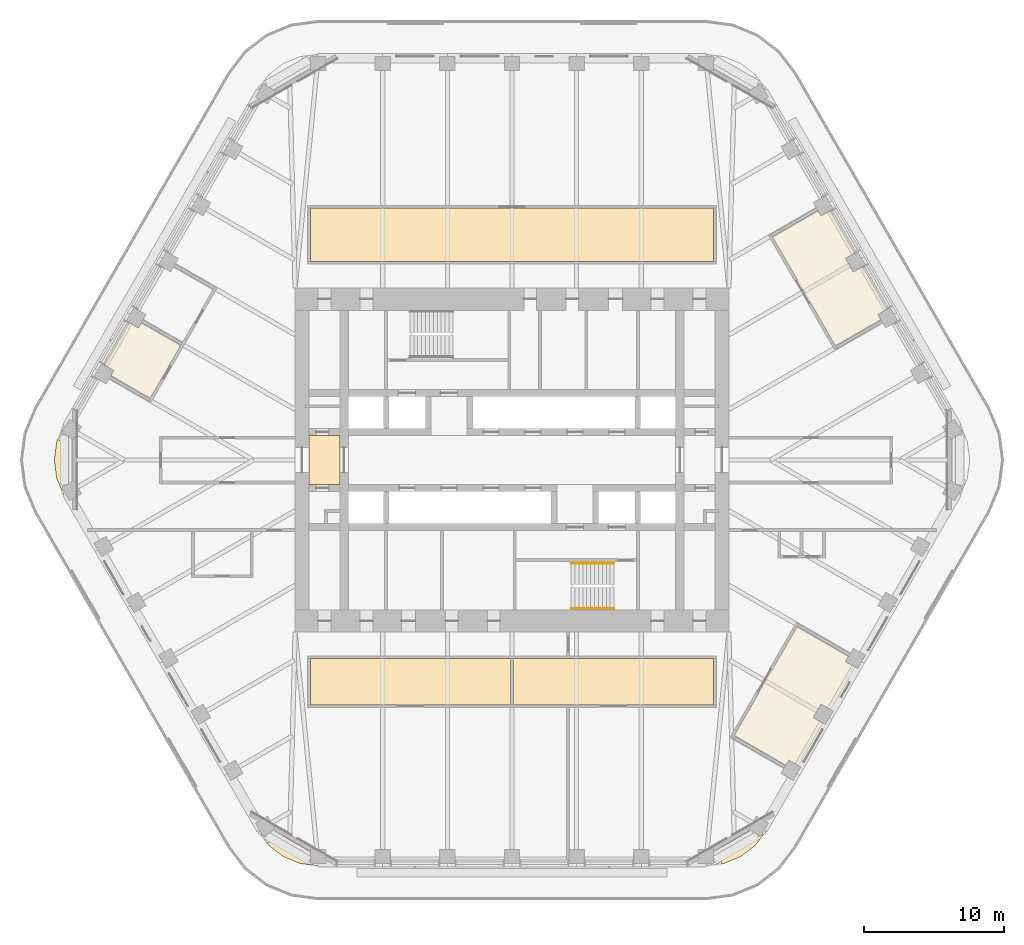
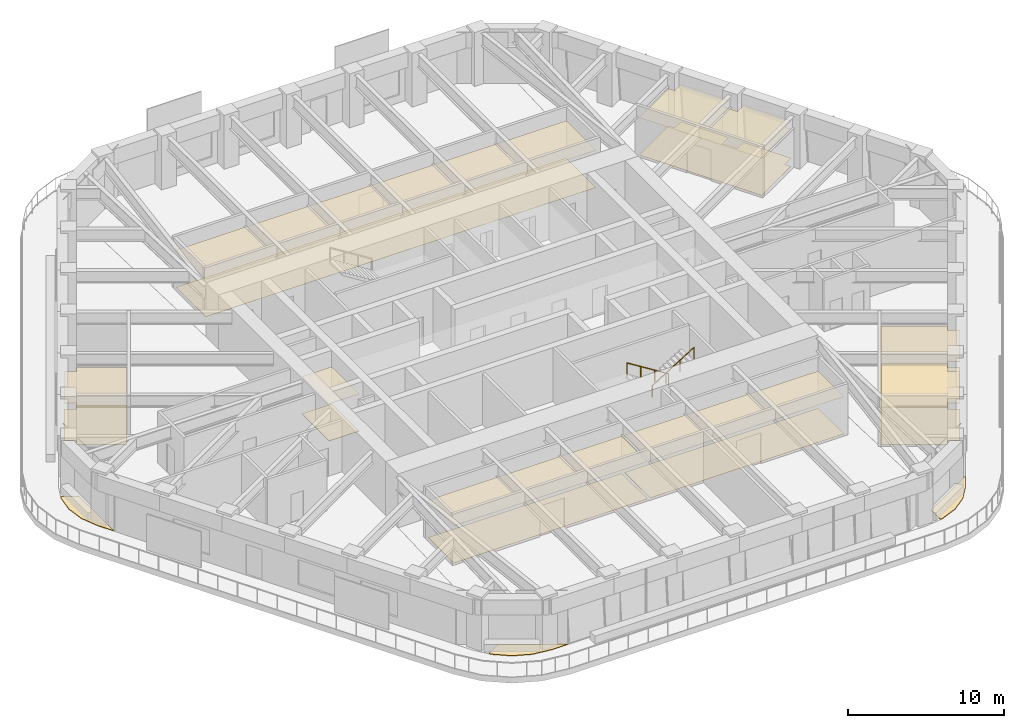
# One storey, part 18 of 20: 7 coverings, 2 railings.
"""IFC4 building model written with IfcOpenShell, lengths in metres."""

from ifc_helpers import new_model, si_unit, direction, frame, origin, origin_2d, place, context, subcontext, project, spatial, polyline, circle, outline, extrude, material, layer, layer_set, type_object, element, save


model = new_model("IFC4")

# Units and contexts
model_context = context("Model", 3, precision=1e-05, world=origin(), true_north=direction((0.0, 1.0)))
body_context = subcontext(model_context, "Body", "Model", "MODEL_VIEW")
ifc_project = project(units=[si_unit("LENGTHUNIT", "METRE"), si_unit("AREAUNIT", "SQUARE_METRE"), si_unit("VOLUMEUNIT", "CUBIC_METRE"), si_unit("PLANEANGLEUNIT", "RADIAN"), si_unit("MASSUNIT", "GRAM", prefix="KILO")], contexts=[model_context])

# Site, building, storey
site_placement = place(None, origin())
site = spatial("IfcSite", under=ifc_project, at=site_placement, CompositionType="ELEMENT")
building_placement = place(site_placement, origin())
building = spatial("IfcBuilding", under=site, at=building_placement, Name="Tarfa Lantern Tower", CompositionType="ELEMENT")
storey_placement = place(building_placement, frame((0.0, 0.0, 282.699951171875)))
storey = spatial("IfcBuildingStorey", under=building, at=storey_placement, Name="L64", CompositionType="ELEMENT", Elevation=282.699951171875)

# Coverings
ifc_material_1 = material(Name="Mineral fibre acoustic tile on suspension grid", Category="finish")
ifc_layer_1 = layer(ifc_material_1, 0.02001953125)
ifc_layer_set_1 = layer_set([ifc_layer_1], Name="CL1 ACOUSTIC TILE CEILING 20")
covering_type_1 = type_object("IfcCoveringType", Name="CL1 ACOUSTIC TILE CEILING 20", PredefinedType="CEILING", material=ifc_layer_set_1)
covering_1_placement = place(storey_placement, frame((0.0, 0.0, 2.900146484375)))
element("IfcCovering", 1, at=covering_1_placement, inside=storey, type_object=covering_type_1, Name="Ceiling L64 CL1", PredefinedType="CEILING", context=body_context, shape_type="SweptSolid", body=[
    extrude(outline(polyline([(-14.39990234375, 18.0), (14.39990234375, 18.0), (14.39990234375, 14.199951171875), (-14.39990234375, 14.199951171875), (-14.39990234375, 18.0)])), origin(), (0.0, 0.0, 1.0), 0.02001953125),
    extrude(outline(polyline([(18.61181640625, 15.96337890625), (21.859375, 17.83837890625), (22.08447265625, 17.44873046875), (22.77734375, 17.8486328125), (24.53662109375, 14.80126953125), (23.84375, 14.4013671875), (24.393798828125, 13.44873046875), (25.086669921875, 13.8486328125), (26.845947265625, 10.80126953125), (26.1533203125, 10.4013671875), (26.378173828125, 10.01171875), (23.130615234375, 8.13671875), (18.61181640625, 15.96337890625)])), origin(), (0.0, 0.0, 1.0), 0.02001953125),
    extrude(outline(polyline([(-25.873046875, 4.38671875), (-28.6875, 6.01171875), (-28.462646484375, 6.4013671875), (-29.155517578125, 6.80126953125), (-27.39599609375, 9.8486328125), (-26.703125, 9.44873046875), (-26.478271484375, 9.83837890625), (-23.66357421875, 8.21337890625), (-25.873046875, 4.38671875)])), origin(), (0.0, 0.0, 1.0), 0.02001953125),
    extrude(outline(polyline([(20.38818359375, -11.88671875), (24.06884765625, -14.01171875), (23.84375, -14.4013671875), (24.53662109375, -14.80126953125), (22.77734375, -17.8486328125), (22.08447265625, -17.44873046875), (21.534423828125, -18.4013671875), (22.227294921875, -18.80126953125), (20.4677734375, -21.8486328125), (19.77490234375, -21.44873046875), (19.550048828125, -21.83837890625), (15.869384765625, -19.71337890625), (20.38818359375, -11.88671875)])), origin(), (0.0, 0.0, 1.0), 0.02001953125),
    extrude(outline(polyline([(0.10009765625, -14.199951171875), (14.39990234375, -14.199951171875), (14.39990234375, -17.5), (0.10009765625, -17.5), (0.10009765625, -14.199951171875)])), origin(), (0.0, 0.0, 1.0), 0.02001953125),
    extrude(outline(polyline([(-14.39990234375, -14.199951171875), (-0.10009765625, -14.199951171875), (-0.10009765625, -17.5), (-14.39990234375, -17.5), (-14.39990234375, -14.199951171875)])), origin(), (0.0, 0.0, 1.0), 0.02001953125),
])
ifc_material_2 = material(Name="Powder-coated aluminium panel", Category="aluminium")
ifc_layer_2 = layer(ifc_material_2, 0.030029296875)
ifc_layer_set_2 = layer_set([ifc_layer_2], Name="CL3 METAL PANEL CEILING 30")
covering_type_2 = type_object("IfcCoveringType", Name="CL3 METAL PANEL CEILING 30", PredefinedType="CEILING", material=ifc_layer_set_2)
covering_2_placement = place(storey_placement, frame((0.0, 0.0, 2.900146484375)))
element("IfcCovering", 2, at=covering_2_placement, inside=storey, type_object=covering_type_2, Name="Ceiling L64-01", PredefinedType="CEILING", context=body_context, shape_type="SweptSolid", body=[
    extrude(outline(polyline([(-14.5, -1.75), (-12.300048828125, -1.75), (-12.300048828125, 1.75), (-14.5, 1.75), (-14.5, -1.75)])), origin(), (0.0, 0.0, 1.0), 0.02978515625),
])
ifc_material_3 = material(Name="Nylon carpet tile", Category="finish")
ifc_layer_3 = layer(ifc_material_3, 0.010009765625)
ifc_layer_set_3 = layer_set([ifc_layer_3], Name="FL1 CARPET TILE 10")
covering_type_3 = type_object("IfcCoveringType", Name="FL1 CARPET TILE 10", PredefinedType="FLOORING", material=ifc_layer_set_3)
covering_3_placement = place(storey_placement, origin())
element("IfcCovering", 3, at=covering_3_placement, inside=storey, type_object=covering_type_3, Name="Floor finish L64 FL1", PredefinedType="FLOORING", context=body_context, shape_type="SweptSolid", body=[
    extrude(outline(polyline([(-14.39990234375, 18.0), (14.39990234375, 18.0), (14.39990234375, 14.199951171875), (-14.39990234375, 14.199951171875), (-14.39990234375, 18.0)])), origin(), (0.0, 0.0, 1.0), 0.010009765625),
    extrude(outline(polyline([(18.61181640625, 15.96337890625), (21.859375, 17.83837890625), (22.08447265625, 17.44873046875), (22.77734375, 17.8486328125), (24.53662109375, 14.80126953125), (23.84375, 14.4013671875), (24.393798828125, 13.44873046875), (25.086669921875, 13.8486328125), (26.845947265625, 10.80126953125), (26.1533203125, 10.4013671875), (26.378173828125, 10.01171875), (23.130615234375, 8.13671875), (18.61181640625, 15.96337890625)])), origin(), (0.0, 0.0, 1.0), 0.010009765625),
    extrude(outline(polyline([(-25.873046875, 4.38671875), (-28.6875, 6.01171875), (-28.462646484375, 6.4013671875), (-29.155517578125, 6.80126953125), (-27.39599609375, 9.8486328125), (-26.703125, 9.44873046875), (-26.478271484375, 9.83837890625), (-23.66357421875, 8.21337890625), (-25.873046875, 4.38671875)])), origin(), (0.0, 0.0, 1.0), 0.010009765625),
    extrude(outline(polyline([(20.38818359375, -11.88671875), (24.06884765625, -14.01171875), (23.84375, -14.4013671875), (24.53662109375, -14.80126953125), (22.77734375, -17.8486328125), (22.08447265625, -17.44873046875), (21.534423828125, -18.4013671875), (22.227294921875, -18.80126953125), (20.4677734375, -21.8486328125), (19.77490234375, -21.44873046875), (19.550048828125, -21.83837890625), (15.869384765625, -19.71337890625), (20.38818359375, -11.88671875)])), origin(), (0.0, 0.0, 1.0), 0.010009765625),
    extrude(outline(polyline([(0.10009765625, -14.199951171875), (14.39990234375, -14.199951171875), (14.39990234375, -17.5), (0.10009765625, -17.5), (0.10009765625, -14.199951171875)])), origin(), (0.0, 0.0, 1.0), 0.010009765625),
    extrude(outline(polyline([(-14.39990234375, -14.199951171875), (-0.10009765625, -14.199951171875), (-0.10009765625, -17.5), (-14.39990234375, -17.5), (-14.39990234375, -14.199951171875)])), origin(), (0.0, 0.0, 1.0), 0.010009765625),
])
ifc_material_4 = material(Name="Honed limestone flooring", Category="masonry")
ifc_layer_4 = layer(ifc_material_4, 0.030029296875)
ifc_layer_set_4 = layer_set([ifc_layer_4], Name="FL2 STONE FLOORING 30")
covering_type_4 = type_object("IfcCoveringType", Name="FL2 STONE FLOORING 30", PredefinedType="FLOORING", material=ifc_layer_set_4)
covering_4_placement = place(storey_placement, origin())
element("IfcCovering", 4, at=covering_4_placement, inside=storey, type_object=covering_type_4, Name="Floor finish L64-01", PredefinedType="FLOORING", context=body_context, shape_type="SweptSolid", body=[
    extrude(outline(polyline([(-14.5, -1.75), (-12.300048828125, -1.75), (-12.300048828125, 1.75), (-14.5, 1.75), (-14.5, -1.75)])), origin(), (0.0, 0.0, 1.0), 0.030029296875),
])

# Railings
ifc_material_5 = material(Name="Stainless steel", Category="steel")
railing_type = type_object("IfcRailingType", Name="HR1 HANDRAIL 900", PredefinedType="HANDRAIL", material=ifc_material_5)
railing_1_placement = place(storey_placement, frame((7.300048828125, -7.3798828125, 0.175048828125)))
element("IfcRailing", 5, at=railing_1_placement, inside=storey, type_object=railing_type, Name="Handrail 1", PredefinedType="HANDRAIL", context=body_context, shape_type="SweptSolid", body=[
    extrude(circle(Radius=0.02392578125, at=origin_2d()), frame((0.0, 0.0, 0.8759765625), z_axis=(-0.847998304005, 0.0, 0.529998940003), x_axis=(0.0, -1.0, 0.0)), (0.0, 0.0, 1.0), 3.632080078125),
    extrude(circle(Radius=0.02099609375, at=origin_2d()), frame((0.0, 0.0, 0.0), z_axis=(0.0, 0.0, 1.0), x_axis=(0.0, -1.0, 0.0)), (0.0, 0.0, 1.0), 0.851806640625),
    extrude(circle(Radius=0.02099609375, at=origin_2d()), frame((-1.026611328125, 0.0, 0.6416015625), z_axis=(0.0, 0.0, 1.0), x_axis=(0.0, -1.0, 0.0)), (0.0, 0.0, 1.0), 0.851806640625),
    extrude(circle(Radius=0.02099609375, at=origin_2d()), frame((-2.053466796875, 0.0, 1.283447265625), z_axis=(0.0, 0.0, 1.0), x_axis=(0.0, -1.0, 0.0)), (0.0, 0.0, 1.0), 0.851806640625),
    extrude(circle(Radius=0.02099609375, at=origin_2d()), frame((-3.080078125, 0.0, 1.925048828125), z_axis=(0.0, 0.0, 1.0), x_axis=(0.0, -1.0, 0.0)), (0.0, 0.0, 1.0), 0.851806640625),
])
railing_2_placement = place(storey_placement, frame((4.219970703125, -10.6201171875, 2.275146484375)))
element("IfcRailing", 6, at=railing_2_placement, inside=storey, type_object=railing_type, Name="Handrail 2", PredefinedType="HANDRAIL", context=body_context, shape_type="SweptSolid", body=[
    extrude(circle(Radius=0.02392578125, at=origin_2d()), frame((0.0, 0.0, 0.8759765625), z_axis=(0.848028513186, 0.0, 0.529950602248), x_axis=(0.0, 1.0, 0.0)), (0.0, 0.0, 1.0), 3.632080078125),
    extrude(circle(Radius=0.02099609375, at=origin_2d()), frame((0.0, 0.0, 0.0), z_axis=(0.0, 0.0, 1.0), x_axis=(0.0, 1.0, 0.0)), (0.0, 0.0, 1.0), 0.851806640625),
    extrude(circle(Radius=0.02099609375, at=origin_2d()), frame((1.026611328125, 0.0, 0.6416015625), z_axis=(0.0, 0.0, 1.0), x_axis=(0.0, 1.0, 0.0)), (0.0, 0.0, 1.0), 0.851806640625),
    extrude(circle(Radius=0.02099609375, at=origin_2d()), frame((2.053466796875, 0.0, 1.283203125), z_axis=(0.0, 0.0, 1.0), x_axis=(0.0, 1.0, 0.0)), (0.0, 0.0, 1.0), 0.851806640625),
    extrude(circle(Radius=0.02099609375, at=origin_2d()), frame((3.080078125, 0.0, 1.9248046875), z_axis=(0.0, 0.0, 1.0), x_axis=(0.0, 1.0, 0.0)), (0.0, 0.0, 1.0), 0.851806640625),
])

# Coverings
ifc_material_6 = material(Name="Porcelain pavers on pedestals", Category="ceramic")
ifc_layer_5 = layer(ifc_material_6, 0.0400390625)
ifc_layer_set_5 = layer_set([ifc_layer_5], Name="LP1 LOGGIA PAVING 40")
covering_type_5 = type_object("IfcCoveringType", Name="LP1 LOGGIA PAVING 40", PredefinedType="FLOORING", material=ifc_layer_set_5)
covering_5_placement = place(storey_placement, origin())
element("IfcCovering", 7, at=covering_5_placement, inside=storey, type_object=covering_type_5, Name="Sky garden paving NW-SW", PredefinedType="FLOORING", context=body_context, shape_type="SweptSolid", body=[
    extrude(outline(polyline([(-32.54248046875, -1.294189453125), (-32.712890625, 0.0), (-32.54248046875, 1.294189453125), (-32.467529296875, 1.474853515625), (-31.43310546875, 0.877685546875), (-31.43310546875, -3.55078125), (-31.436279296875, -3.55078125), (-32.04296875, -2.5), (-32.54248046875, -1.294189453125)])), origin(), (0.0, 0.0, 1.0), 0.0400390625),
])
covering_6_placement = place(storey_placement, origin())
element("IfcCovering", 8, at=covering_6_placement, inside=storey, type_object=covering_type_5, Name="Sky garden paving SW-S", PredefinedType="FLOORING", context=body_context, shape_type="SweptSolid", body=[
    extrude(outline(polyline([(-15.150390625, -28.82958984375), (-16.3564453125, -28.330078125), (-17.391845703125, -27.53564453125), (-17.51123046875, -27.380126953125), (-16.4765625, -26.782958984375), (-12.641357421875, -28.997314453125), (-12.64306640625, -29.0), (-13.8564453125, -29.0), (-15.150390625, -28.82958984375)])), origin(), (0.0, 0.0, 1.0), 0.0400390625),
])
covering_7_placement = place(storey_placement, origin())
element("IfcCovering", 9, at=covering_7_placement, inside=storey, type_object=covering_type_5, Name="Sky garden paving S-SE", PredefinedType="FLOORING", context=body_context, shape_type="SweptSolid", body=[
    extrude(outline(polyline([(17.391845703125, -27.53564453125), (16.3564453125, -28.330078125), (15.150390625, -28.82958984375), (14.956298828125, -28.855224609375), (14.956298828125, -27.66064453125), (18.791748046875, -25.4462890625), (18.793212890625, -25.44921875), (18.1865234375, -26.5), (17.391845703125, -27.53564453125)])), origin(), (0.0, 0.0, 1.0), 0.0400390625),
])

save(model, "model.ifc")
